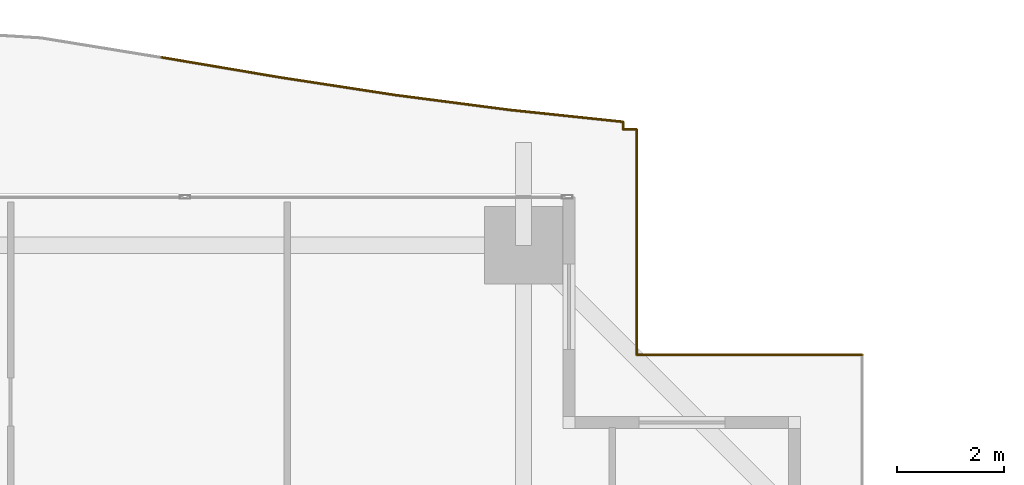
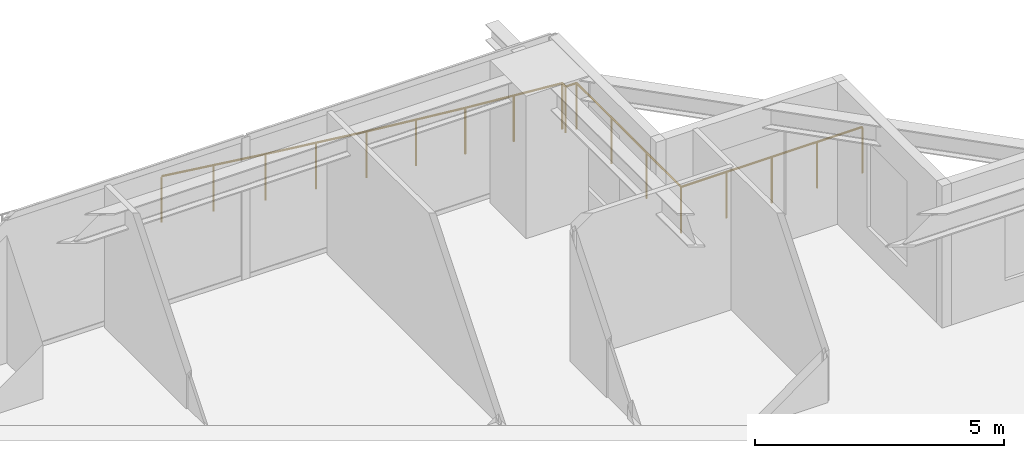
# One storey, part 35 of 35: 1 railing.
"""IFC4 building model written with IfcOpenShell, lengths in metres."""

from ifc_helpers import new_model, si_unit, direction, frame, origin, origin_2d, place, context, subcontext, project, spatial, circle, extrude, material, type_object, element, save


model = new_model("IFC4")

# Units and contexts
model_context = context("Model", 3, precision=1e-05, world=origin(), true_north=direction((0.0, 1.0)))
body_context = subcontext(model_context, "Body", "Model", "MODEL_VIEW")
ifc_project = project(units=[si_unit("LENGTHUNIT", "METRE"), si_unit("AREAUNIT", "SQUARE_METRE"), si_unit("VOLUMEUNIT", "CUBIC_METRE"), si_unit("PLANEANGLEUNIT", "RADIAN"), si_unit("MASSUNIT", "GRAM", prefix="KILO")], contexts=[model_context])

# Site, building, storey
site_placement = place(None, origin())
site = spatial("IfcSite", under=ifc_project, at=site_placement, CompositionType="ELEMENT")
building_placement = place(site_placement, origin())
building = spatial("IfcBuilding", under=site, at=building_placement, Name="Serunith Strait Residences", CompositionType="ELEMENT")
storey_placement = place(building_placement, frame((0.0, 0.0, 56.699951171875)))
storey = spatial("IfcBuildingStorey", under=building, at=storey_placement, Name="L13", CompositionType="ELEMENT", Elevation=56.699951171875)

# Railing
ifc_material = material(Name="Stainless Steel & Laminated Glass Balustrade", Category="steel")
railing_type = type_object("IfcRailingType", Name="RLG-BALC-1150", PredefinedType="BALUSTRADE", material=ifc_material)
railing_placement = place(storey_placement, frame((42.814208984375, 52.7998046875, -0.050048828125)))
element("IfcRailing", 1, at=railing_placement, inside=storey, type_object=railing_type, Name="L13 Swirling Balcony Perimeter Balustrade 6", PredefinedType="BALUSTRADE", context=body_context, shape_type="SweptSolid", body=[
    extrude(circle(Radius=0.02392578125, at=origin_2d()), frame((0.001953125, -0.000244140625, 1.1259765625), z_axis=(0.98601753819, -0.166641574591, 0.0), x_axis=(0.166641574591, 0.98601753819, 0.0)), (0.0, 0.0, 1.0), 2.219970703125),
    extrude(circle(Radius=0.02392578125, at=origin_2d()), frame((2.19482421875, -0.370849609375, 1.1259765625), z_axis=(0.988453242753, -0.151526192098, 0.0), x_axis=(0.151526192098, 0.988453242753, 0.0)), (0.0, 0.0, 1.0), 2.1728515625),
    extrude(circle(Radius=0.02392578125, at=origin_2d()), frame((4.346435546875, -0.70068359375, 1.1259765625), z_axis=(0.991649801104, -0.128959962666, 0.0), x_axis=(0.128959962666, 0.991649801104, 0.0)), (0.0, 0.0, 1.0), 2.142822265625),
    extrude(circle(Radius=0.02392578125, at=origin_2d()), frame((6.475341796875, -0.9775390625, 1.1259765625), z_axis=(0.994518623043, -0.104559592681, 0.0), x_axis=(0.104559592681, 0.994518623043, 0.0)), (0.0, 0.0, 1.0), 2.127685546875),
    extrude(circle(Radius=0.02392578125, at=origin_2d()), frame((8.593505859375, -1.2021484375, 1.1259765625), z_axis=(-0.006992836013, -0.999975549823, 0.0), x_axis=(0.999975549823, -0.006992836013, 0.0)), (0.0, 0.0, 1.0), 0.1357421875),
    extrude(circle(Radius=0.02392578125, at=origin_2d()), frame((8.594482421875, -1.33984375, 1.1259765625), z_axis=(1.0, 0.0, 0.0), x_axis=(0.0, 1.0, 0.0)), (0.0, 0.0, 1.0), 0.249267578125),
    extrude(circle(Radius=0.02392578125, at=origin_2d()), frame((8.845703125, -1.341796875, 1.1259765625), z_axis=(0.0, -1.0, 0.0), x_axis=(1.0, 0.0, 0.0)), (0.0, 0.0, 1.0), 4.196044921875),
    extrude(circle(Radius=0.02392578125, at=origin_2d()), frame((8.84765625, -5.539794921875, 1.1259765625), z_axis=(1.0, 0.0, 0.0), x_axis=(0.0, 1.0, 0.0)), (0.0, 0.0, 1.0), 4.1962890625),
    extrude(circle(Radius=0.02099609375, at=origin_2d()), origin(), (0.0, 0.0, 1.0), 1.099853515625),
    extrude(circle(Radius=0.02099609375, at=origin_2d()), frame((1.096435546875, -0.185302734375, 0.0)), (0.0, 0.0, 1.0), 1.099853515625),
    extrude(circle(Radius=0.02099609375, at=origin_2d()), frame((2.19287109375, -0.37060546875, 0.0)), (0.0, 0.0, 1.0), 1.099853515625),
    extrude(circle(Radius=0.02099609375, at=origin_2d()), frame((3.2685546875, -0.53564453125, 0.0)), (0.0, 0.0, 1.0), 1.099853515625),
    extrude(circle(Radius=0.02099609375, at=origin_2d()), frame((4.344482421875, -0.700439453125, 0.0)), (0.0, 0.0, 1.0), 1.099853515625),
    extrude(circle(Radius=0.02099609375, at=origin_2d()), frame((5.408935546875, -0.8388671875, 0.0)), (0.0, 0.0, 1.0), 1.099853515625),
    extrude(circle(Radius=0.02099609375, at=origin_2d()), frame((6.473388671875, -0.977294921875, 0.0)), (0.0, 0.0, 1.0), 1.099853515625),
    extrude(circle(Radius=0.02099609375, at=origin_2d()), frame((7.533447265625, -1.0888671875, 0.0)), (0.0, 0.0, 1.0), 1.099853515625),
    extrude(circle(Radius=0.02099609375, at=origin_2d()), frame((8.593505859375, -1.2001953125, 0.0)), (0.0, 0.0, 1.0), 1.099853515625),
    extrude(circle(Radius=0.02099609375, at=origin_2d()), frame((8.592529296875, -1.33984375, 0.0)), (0.0, 0.0, 1.0), 1.099853515625),
    extrude(circle(Radius=0.02099609375, at=origin_2d()), frame((8.845703125, -1.33984375, 0.0)), (0.0, 0.0, 1.0), 1.099853515625),
    extrude(circle(Radius=0.02099609375, at=origin_2d()), frame((8.845703125, -2.73974609375, 0.0)), (0.0, 0.0, 1.0), 1.099853515625),
    extrude(circle(Radius=0.02099609375, at=origin_2d()), frame((8.845703125, -4.139892578125, 0.0)), (0.0, 0.0, 1.0), 1.099853515625),
    extrude(circle(Radius=0.02099609375, at=origin_2d()), frame((8.845703125, -5.539794921875, 0.0)), (0.0, 0.0, 1.0), 1.099853515625),
    extrude(circle(Radius=0.02099609375, at=origin_2d()), frame((9.895751953125, -5.539794921875, 0.0)), (0.0, 0.0, 1.0), 1.099853515625),
    extrude(circle(Radius=0.02099609375, at=origin_2d()), frame((10.94580078125, -5.539794921875, 0.0)), (0.0, 0.0, 1.0), 1.099853515625),
    extrude(circle(Radius=0.02099609375, at=origin_2d()), frame((11.995849609375, -5.539794921875, 0.0)), (0.0, 0.0, 1.0), 1.099853515625),
    extrude(circle(Radius=0.02099609375, at=origin_2d()), frame((13.0458984375, -5.539794921875, 0.0)), (0.0, 0.0, 1.0), 1.099853515625),
])

save(model, "model.ifc")
